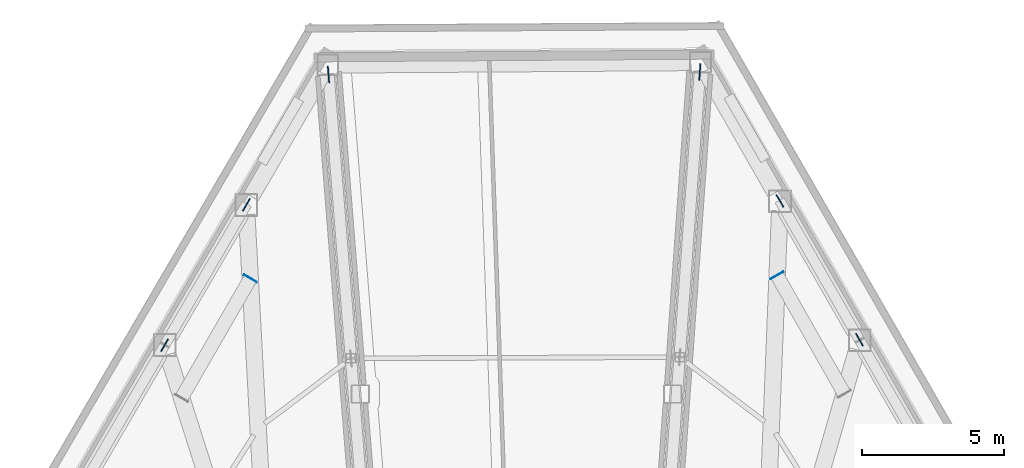
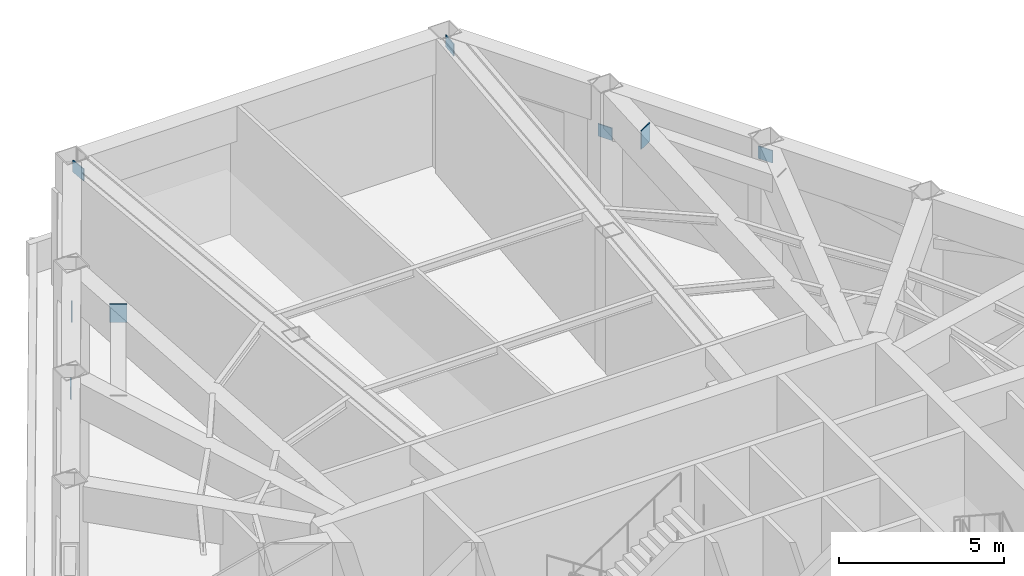
# One storey, part 7 of 12: 8 plates.
"""IFC4 building model written with IfcOpenShell, lengths in metres."""

from ifc_helpers import new_model, si_unit, direction, frame, origin, origin_2d, place, context, subcontext, project, spatial, rectangle, extrude, material, layer, layer_set, type_object, element, save


model = new_model("IFC4")

# Units and contexts
model_context = context("Model", 3, precision=1e-05, world=origin(), true_north=direction((0.0, 1.0)))
body_context = subcontext(model_context, "Body", "Model", "MODEL_VIEW")
ifc_project = project(units=[si_unit("LENGTHUNIT", "METRE"), si_unit("AREAUNIT", "SQUARE_METRE"), si_unit("VOLUMEUNIT", "CUBIC_METRE"), si_unit("PLANEANGLEUNIT", "RADIAN"), si_unit("MASSUNIT", "GRAM", prefix="KILO")], contexts=[model_context])

# Site, building, storey
site_placement = place(None, origin())
site = spatial("IfcSite", under=ifc_project, at=site_placement, CompositionType="ELEMENT")
building_placement = place(site_placement, origin())
building = spatial("IfcBuilding", under=site, at=building_placement, Name="Kavelnor Concourse Tower", CompositionType="ELEMENT")
storey_placement = place(building_placement, frame((0.0, 0.0, 75.300048828125)))
storey = spatial("IfcBuildingStorey", under=building, at=storey_placement, Name="L19", CompositionType="ELEMENT", Elevation=75.300048828125)

# Plates
ifc_material = material(Name="Steel Grade 350", Category="steel")
ifc_layer_1 = layer(ifc_material, 0.035888671875, Name="Steel Grade 350")
ifc_layer_set_1 = layer_set([ifc_layer_1], Name="Steel Grade 350")
plate_type_1 = type_object("IfcPlateType", Name="PL-GUSSET-OUTRIG", PredefinedType="USERDEFINED", material=ifc_layer_set_1)
for number, where, z_axis, x_axis, name in (
    (1, (31.3818359375, 43.0478515625, 4.405029296875), (0.0, 0.0, 1.0), (-0.078807080738, 0.996889885607, 0.0), "L19 Outrigger Truss Node Gusset Plate GP2 F0A-B1"),
    (2, (44.45849609375, 43.137939453125, 4.405029296875), (0.0, 0.0, 1.0), (0.070801081936, 0.997490454489, 0.0), "L19 Outrigger Truss Node Gusset Plate GP2 F2B-B1"),
):
    element("IfcPlate", number, at=place(storey_placement, frame(where, z_axis=z_axis, x_axis=x_axis)), inside=storey, type_object=plate_type_1, Name=name, ObjectType="GUSSET_PLATE", PredefinedType="USERDEFINED", context=body_context, shape_type="SweptSolid", body=[
        extrude(rectangle(XDim=0.580078125, YDim=0.035888671875, at=origin_2d()), origin(), (0.0, 0.0, 1.0), 0.43994140625),
    ])
for number, where, z_axis, x_axis, name in (
    (3, (28.491455078125, 38.467041015625, 2.949951171875), (0.0, 0.0, 1.0), (-0.50301994663, -0.864274801954, 0.0), "L19 Belt Truss Diagonal F0-B1 End Gusset A"),
    (4, (25.60986328125, 33.51513671875, 4.10498046875), (0.0, 0.0, 1.0), (-0.50301994663, -0.864274801954, 0.0), "L19 Belt Truss Diagonal F0-B1 End Gusset B"),
    (5, (50.07861328125, 33.70751953125, 4.10498046875), (0.0, 0.0, 1.0), (-0.496973961028, 0.867765453369, 0.0), "L19 Belt Truss Diagonal F2-B3 End Gusset B"),
    (6, (47.277587890625, 38.597900390625, 2.949951171875), (0.0, 0.0, 1.0), (0.496973961028, -0.867765453369, 0.0), "L19 Belt Truss Diagonal F2-B4 End Gusset A"),
):
    element("IfcPlate", number, at=place(storey_placement, frame(where, z_axis=z_axis, x_axis=x_axis)), inside=storey, type_object=plate_type_1, Name=name, ObjectType="GUSSET_PLATE", PredefinedType="USERDEFINED", context=body_context, shape_type="SweptSolid", body=[
        extrude(rectangle(XDim=0.5, YDim=0.035888671875, at=origin_2d()), origin(), (0.0, 0.0, 1.0), 0.4599609375),
    ])
ifc_layer_2 = layer(ifc_material, 0.02490234375, Name="Steel Grade 350")
ifc_layer_set_2 = layer_set([ifc_layer_2], Name="Steel Grade 350")
plate_type_2 = type_object("IfcPlateType", Name="PL-SPLICE-FLANGE", PredefinedType="SHEET", material=ifc_layer_set_2)
for number, where, z_axis, x_axis, name in (
    (7, (28.6298828125, 35.86767578125, 4.31494140625), (0.0, 0.0, 1.0), (-0.866461406284, 0.499244059975, 0.0), "L19 Belt Truss Chord End Cap F0-B1-A"),
    (8, (47.17529296875, 35.97900390625, 4.31494140625), (0.0, 0.0, 1.0), (-0.869753437661, -0.493486532416, 0.0), "L19 Belt Truss Chord End Cap F2-B4-B"),
):
    element("IfcPlate", number, at=place(storey_placement, frame(where, z_axis=z_axis, x_axis=x_axis)), inside=storey, type_object=plate_type_2, Name=name, PredefinedType="SHEET", context=body_context, shape_type="SweptSolid", body=[
        extrude(rectangle(XDim=0.52001953125, YDim=0.028076171875, at=origin_2d()), origin(), (0.0, 0.0, 1.0), 0.68994140625),
    ])

save(model, "model.ifc")
